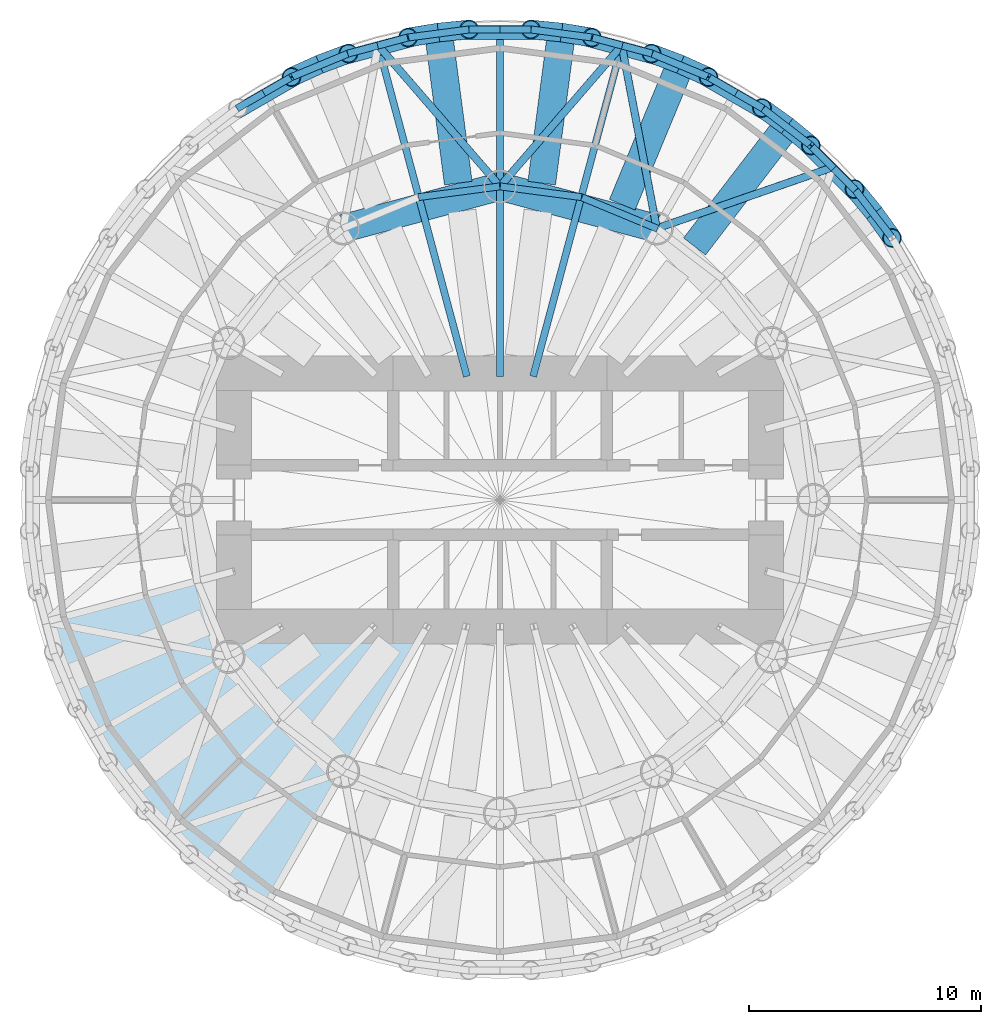
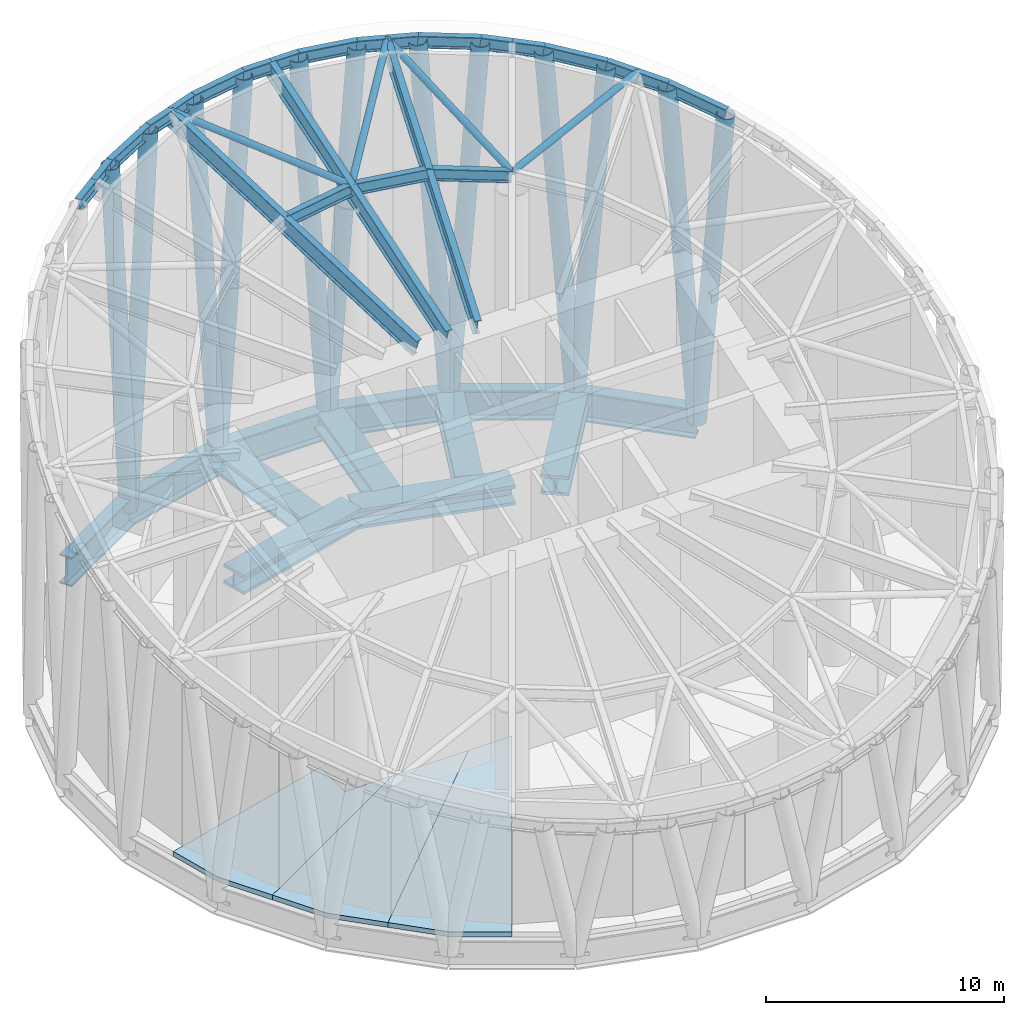
# One storey, part 5 of 9: 36 beams, 16 members, 3 slabs.
"""IFC4 building model written with IfcOpenShell, lengths in metres."""

from ifc_helpers import new_model, si_unit, direction, frame, origin, origin_2d, place, context, subcontext, project, spatial, polyline, hollow_circle, i_section, outline, extrude, material, layer, layer_set, material_profile, profile_set, type_object, element, save


model = new_model("IFC4")

# Units and contexts
model_context = context("Model", 3, precision=1e-05, world=origin(), true_north=direction((0.0, 1.0)))
body_context = subcontext(model_context, "Body", "Model", "MODEL_VIEW")
ifc_project = project(units=[si_unit("LENGTHUNIT", "METRE"), si_unit("AREAUNIT", "SQUARE_METRE"), si_unit("VOLUMEUNIT", "CUBIC_METRE"), si_unit("PLANEANGLEUNIT", "RADIAN"), si_unit("MASSUNIT", "GRAM", prefix="KILO")], contexts=[model_context])

# Site, building, storey
site_placement = place(None, origin())
site = spatial("IfcSite", under=ifc_project, at=site_placement, CompositionType="ELEMENT")
building_placement = place(site_placement, origin())
building = spatial("IfcBuilding", under=site, at=building_placement, Name="Qaws Media Tower", CompositionType="ELEMENT")
storey_placement = place(building_placement, frame((0.0, 0.0, 286.39990234375)))
storey = spatial("IfcBuildingStorey", under=building, at=storey_placement, Name="L66", CompositionType="ELEMENT", Elevation=286.39990234375)

# Members
ifc_material_1 = material(Name="Steel S355", Category="steel")
ifc_material_profile_1 = material_profile(ifc_material_1, hollow_circle(Radius=0.406494140625, WallThickness=0.0400390625, at=origin_2d()), Name="CHS 813x40")
ifc_profile_set_1 = profile_set([ifc_material_profile_1], Name="Steel S355")
member_type_1 = type_object("IfcMemberType", Name="Crown diagrid member CHS 813x40", PredefinedType="USERDEFINED", material=ifc_profile_set_1)
member_1_placement = place(storey_placement, frame((76.10498046875, 62.35791015625, -1.0), z_axis=(-0.050039198741, 0.060986632833, 0.996883498311), x_axis=(-0.773080303717, -0.634308161704, 0.0)))
element("IfcMember", 1, at=member_1_placement, inside=storey, type_object=member_type_1, Name="DG5 crown diagrid A03", ObjectType="DIAGRID", PredefinedType="USERDEFINED", context=body_context, shape_type="SweptSolid", body=[
    extrude(hollow_circle(Radius=0.406494140625, WallThickness=0.0400390625, at=origin_2d()), origin(), (0.0, 0.0, 1.0), 16.83740234375),
])
member_2_placement = place(storey_placement, frame((76.10498046875, 62.35791015625, -1.0), z_axis=(0.047906087297, -0.06684183726, 0.996612851408), x_axis=(0.812801175395, 0.582541199639, 0.0)))
element("IfcMember", 2, at=member_2_placement, inside=storey, type_object=member_type_1, Name="DG5 crown diagrid B03", ObjectType="DIAGRID", PredefinedType="USERDEFINED", context=body_context, shape_type="SweptSolid", body=[
    extrude(hollow_circle(Radius=0.406494140625, WallThickness=0.0400390625, at=origin_2d()), origin(), (0.0, 0.0, 1.0), 16.155029296875),
])
member_3_placement = place(storey_placement, frame((72.35791015625, 66.10498046875, -1.0), z_axis=(-0.060093119495, 0.043069226498, 0.997263184279), x_axis=(-0.582541199639, -0.812801175395, 0.0)))
element("IfcMember", 3, at=member_3_placement, inside=storey, type_object=member_type_1, Name="DG5 crown diagrid A04", ObjectType="DIAGRID", PredefinedType="USERDEFINED", context=body_context, shape_type="SweptSolid", body=[
    extrude(hollow_circle(Radius=0.406494140625, WallThickness=0.0400390625, at=origin_2d()), origin(), (0.0, 0.0, 1.0), 17.96923828125),
])
member_4_placement = place(storey_placement, frame((72.35791015625, 66.10498046875, -1.0), z_axis=(0.058860230621, -0.048294497354, 0.997097344684), x_axis=(0.634308161704, 0.773080303717, 0.0)))
element("IfcMember", 4, at=member_4_placement, inside=storey, type_object=member_type_1, Name="DG5 crown diagrid B04", ObjectType="DIAGRID", PredefinedType="USERDEFINED", context=body_context, shape_type="SweptSolid", body=[
    extrude(hollow_circle(Radius=0.406494140625, WallThickness=0.0400390625, at=origin_2d()), origin(), (0.0, 0.0, 1.0), 17.445556640625),
])
member_5_placement = place(storey_placement, frame((67.7685546875, 68.754638671875, -1.0), z_axis=(-0.066389225504, 0.024988836696, 0.997480841309), x_axis=(-0.352271058645, -0.935898018612, 0.0)))
element("IfcMember", 5, at=member_5_placement, inside=storey, type_object=member_type_1, Name="DG5 crown diagrid A05", ObjectType="DIAGRID", PredefinedType="USERDEFINED", context=body_context, shape_type="SweptSolid", body=[
    extrude(hollow_circle(Radius=0.406494140625, WallThickness=0.0400390625, at=origin_2d()), origin(), (0.0, 0.0, 1.0), 18.72900390625),
])
member_6_placement = place(storey_placement, frame((67.7685546875, 68.754638671875, -1.0), z_axis=(0.065760275198, -0.029788502385, 0.997390711472), x_axis=(0.412625538656, 0.910900743687, 0.0)))
element("IfcMember", 6, at=member_6_placement, inside=storey, type_object=member_type_1, Name="DG5 crown diagrid B05", ObjectType="DIAGRID", PredefinedType="USERDEFINED", context=body_context, shape_type="SweptSolid", body=[
    extrude(hollow_circle(Radius=0.406494140625, WallThickness=0.0400390625, at=origin_2d()), origin(), (0.0, 0.0, 1.0), 18.399658203125),
])
member_7_placement = place(storey_placement, frame((62.649658203125, 70.126220703125, -1.0), z_axis=(-0.06934589796, 0.006838542846, 0.997569236077), x_axis=(-0.098138916945, -0.995172725199, 0.0)))
element("IfcMember", 7, at=member_7_placement, inside=storey, type_object=member_type_1, Name="DG5 crown diagrid A06", ObjectType="DIAGRID", PredefinedType="USERDEFINED", context=body_context, shape_type="SweptSolid", body=[
    extrude(hollow_circle(Radius=0.406494140625, WallThickness=0.0400390625, at=origin_2d()), origin(), (0.0, 0.0, 1.0), 19.064208984375),
])
for number, where, z_axis, x_axis, name in (
    (8, (62.649658203125, 70.126220703125, -1.0), (0.06916500203, -0.011413706798, 0.997539938945), (0.162819356287, 0.986655896054, 0.0), "DG5 crown diagrid B06"),
    (9, (57.350341796875, 70.126220703125, -1.0), (-0.06916500203, -0.011413706798, 0.997539938945), (0.162819356287, -0.986655896054, 0.0), "DG5 crown diagrid A07"),
):
    element("IfcMember", number, at=place(storey_placement, frame(where, z_axis=z_axis, x_axis=x_axis)), inside=storey, type_object=member_type_1, Name=name, ObjectType="DIAGRID", PredefinedType="USERDEFINED", context=body_context, shape_type="SweptSolid", body=[
        extrude(hollow_circle(Radius=0.406494140625, WallThickness=0.0400390625, at=origin_2d()), origin(), (0.0, 0.0, 1.0), 18.95166015625),
    ])
member_8_placement = place(storey_placement, frame((57.350341796875, 70.126220703125, -1.0), z_axis=(0.06934589796, 0.006838542846, 0.997569236077), x_axis=(-0.098138916945, 0.995172725199, 0.0)))
element("IfcMember", 10, at=member_8_placement, inside=storey, type_object=member_type_1, Name="DG5 crown diagrid B07", ObjectType="DIAGRID", PredefinedType="USERDEFINED", context=body_context, shape_type="SweptSolid", body=[
    extrude(hollow_circle(Radius=0.406494140625, WallThickness=0.0400390625, at=origin_2d()), origin(), (0.0, 0.0, 1.0), 19.064208984375),
])
member_9_placement = place(storey_placement, frame((52.2314453125, 68.754638671875, -1.0), z_axis=(-0.065760275198, -0.029788502385, 0.997390711472), x_axis=(0.412625538656, -0.910900743687, 0.0)))
element("IfcMember", 11, at=member_9_placement, inside=storey, type_object=member_type_1, Name="DG5 crown diagrid A08", ObjectType="DIAGRID", PredefinedType="USERDEFINED", context=body_context, shape_type="SweptSolid", body=[
    extrude(hollow_circle(Radius=0.406494140625, WallThickness=0.0400390625, at=origin_2d()), origin(), (0.0, 0.0, 1.0), 18.399658203125),
])
member_10_placement = place(storey_placement, frame((52.2314453125, 68.754638671875, -1.0), z_axis=(0.066389225504, 0.024988836696, 0.997480841309), x_axis=(-0.352271058645, 0.935898018612, 0.0)))
element("IfcMember", 12, at=member_10_placement, inside=storey, type_object=member_type_1, Name="DG5 crown diagrid B08", ObjectType="DIAGRID", PredefinedType="USERDEFINED", context=body_context, shape_type="SweptSolid", body=[
    extrude(hollow_circle(Radius=0.406494140625, WallThickness=0.0400390625, at=origin_2d()), origin(), (0.0, 0.0, 1.0), 18.72900390625),
])

# Beams
ifc_material_2 = material(Name="Steel S355", Category="steel")
ifc_material_profile_2 = material_profile(ifc_material_2, i_section(OverallWidth=0.304931640625, OverallDepth=0.6201171875, WebThickness=0.02099609375, FlangeThickness=0.0400390625, FilletRadius=0.027099609375, at=origin_2d()), Name="HE 600 M")
ifc_profile_set_2 = profile_set([ifc_material_profile_2], Name="Steel S355")
beam_type_1 = type_object("IfcBeamType", Name="Crown edge beam HE 600 M", PredefinedType="BEAM", material=ifc_profile_set_2)
beam_1_placement = place(storey_placement, frame((76.87890625, 61.278076171875, 15.100341796875), z_axis=(-0.589472117613, 0.768245718604, 0.249642020508), x_axis=(-0.793365088638, -0.608746117959, 0.0)))
element("IfcBeam", 13, at=beam_1_placement, inside=storey, type_object=beam_type_1, Name="B5 crown edge beam 05", PredefinedType="BEAM", context=body_context, shape_type="SweptSolid", body=[
    extrude(i_section(OverallWidth=0.304931640625, OverallDepth=0.6201171875, WebThickness=0.02099609375, FlangeThickness=0.0400390625, FilletRadius=0.027099609375, at=origin_2d()), origin(), (0.0, 0.0, 1.0), 2.7421875),
])
for number, where, z_axis, x_axis, name in (
    (14, (75.262451171875, 63.384765625, 15.784912109375), (-0.689254594814, 0.689075381451, 0.223837490619), (-0.707014835699, -0.70719871472, 0.0), "B5 crown edge beam 06 part a"),
    (15, (74.323486328125, 64.323486328125, 16.08984375), (-0.689047730018, 0.68922693619, 0.22400771457), (-0.70719871472, -0.707014835699, 0.0), "B5 crown edge beam 06 part b"),
):
    element("IfcBeam", number, at=place(storey_placement, frame(where, z_axis=z_axis, x_axis=x_axis)), inside=storey, type_object=beam_type_1, Name=name, PredefinedType="BEAM", context=body_context, shape_type="SweptSolid", body=[
        extrude(i_section(OverallWidth=0.304931640625, OverallDepth=0.6201171875, WebThickness=0.02099609375, FlangeThickness=0.0400390625, FilletRadius=0.027099609375, at=origin_2d()), origin(), (0.0, 0.0, 1.0), 1.3623046875),
    ])
beam_2_placement = place(storey_placement, frame((73.384765625, 65.262451171875, 16.39501953125), z_axis=(-0.778290949844, 0.59717978664, 0.194009019946), x_axis=(-0.608746117959, -0.793365088638, 0.0)))
element("IfcBeam", 16, at=beam_2_placement, inside=storey, type_object=beam_type_1, Name="B5 crown edge beam 07", PredefinedType="BEAM", context=body_context, shape_type="SweptSolid", body=[
    extrude(i_section(OverallWidth=0.304931640625, OverallDepth=0.6201171875, WebThickness=0.02099609375, FlangeThickness=0.0400390625, FilletRadius=0.027099609375, at=origin_2d()), origin(), (0.0, 0.0, 1.0), 2.706787109375),
])
beam_3_placement = place(storey_placement, frame((71.278076171875, 66.87890625, 16.920166015625), z_axis=(-0.854831723483, 0.493479290053, 0.160439754471), x_axis=(-0.499955901382, -0.866050862637, 0.0)))
element("IfcBeam", 17, at=beam_3_placement, inside=storey, type_object=beam_type_1, Name="B5 crown edge beam 08 part a", PredefinedType="BEAM", context=body_context, shape_type="SweptSolid", body=[
    extrude(i_section(OverallWidth=0.304931640625, OverallDepth=0.6201171875, WebThickness=0.02099609375, FlangeThickness=0.0400390625, FilletRadius=0.027099609375, at=origin_2d()), origin(), (0.0, 0.0, 1.0), 1.34521484375),
])
beam_4_placement = place(storey_placement, frame((70.128173828125, 67.542724609375, 17.135986328125), z_axis=(-0.854807727705, 0.493570229694, 0.160287794343), x_axis=(-0.500035527442, -0.866004891035, 0.0)))
element("IfcBeam", 18, at=beam_4_placement, inside=storey, type_object=beam_type_1, Name="B5 crown edge beam 08 part b", PredefinedType="BEAM", context=body_context, shape_type="SweptSolid", body=[
    extrude(i_section(OverallWidth=0.304931640625, OverallDepth=0.6201171875, WebThickness=0.02099609375, FlangeThickness=0.0400390625, FilletRadius=0.027099609375, at=origin_2d()), origin(), (0.0, 0.0, 1.0), 1.344970703125),
])
beam_5_placement = place(storey_placement, frame((68.978515625, 68.20654296875, 17.3515625), z_axis=(-0.916827456484, 0.379722944958, 0.123441889603), x_axis=(-0.382649524099, -0.923893577046, 0.0)))
element("IfcBeam", 19, at=beam_5_placement, inside=storey, type_object=beam_type_1, Name="B5 crown edge beam 09", PredefinedType="BEAM", context=body_context, shape_type="SweptSolid", body=[
    extrude(i_section(OverallWidth=0.304931640625, OverallDepth=0.6201171875, WebThickness=0.02099609375, FlangeThickness=0.0400390625, FilletRadius=0.027099609375, at=origin_2d()), origin(), (0.0, 0.0, 1.0), 2.676025390625),
])
beam_6_placement = place(storey_placement, frame((66.525146484375, 69.22265625, 17.681884765625), z_axis=(-0.962512217933, 0.257989187674, 0.08373654742), x_axis=(-0.258898457701, -0.965904544249, 0.0)))
element("IfcBeam", 20, at=beam_6_placement, inside=storey, type_object=beam_type_1, Name="B5 crown edge beam 10 part a", PredefinedType="BEAM", context=body_context, shape_type="SweptSolid", body=[
    extrude(i_section(OverallWidth=0.304931640625, OverallDepth=0.6201171875, WebThickness=0.02099609375, FlangeThickness=0.0400390625, FilletRadius=0.027099609375, at=origin_2d()), origin(), (0.0, 0.0, 1.0), 1.33251953125),
])
beam_7_placement = place(storey_placement, frame((65.24267578125, 69.56640625, 17.79345703125), z_axis=(-0.962544235999, 0.257863621487, 0.083755277199), x_axis=(-0.258772857725, -0.965938200976, 0.0)))
element("IfcBeam", 21, at=beam_7_placement, inside=storey, type_object=beam_type_1, Name="B5 crown edge beam 10 part b", PredefinedType="BEAM", context=body_context, shape_type="SweptSolid", body=[
    extrude(i_section(OverallWidth=0.304931640625, OverallDepth=0.6201171875, WebThickness=0.02099609375, FlangeThickness=0.0400390625, FilletRadius=0.027099609375, at=origin_2d()), origin(), (0.0, 0.0, 1.0), 1.33203125),
])
beam_8_placement = place(storey_placement, frame((63.96044921875, 69.909912109375, 17.905029296875), z_axis=(-0.990548656421, 0.130432037474, 0.042436338953), x_axis=(-0.130549640138, -0.991441774115, 0.0)))
element("IfcBeam", 22, at=beam_8_placement, inside=storey, type_object=beam_type_1, Name="B5 crown edge beam 11", PredefinedType="BEAM", context=body_context, shape_type="SweptSolid", body=[
    extrude(i_section(OverallWidth=0.304931640625, OverallDepth=0.6201171875, WebThickness=0.02099609375, FlangeThickness=0.0400390625, FilletRadius=0.027099609375, at=origin_2d()), origin(), (0.0, 0.0, 1.0), 2.657958984375),
])
for number, where, z_axis, x_axis, name in (
    (23, (61.32763671875, 70.256591796875, 18.017822265625), (-1.0, 0.0, 0.0), (0.0, -1.0, 0.0), "B5 crown edge beam 12 part a"),
    (24, (60.0, 70.256591796875, 18.017822265625), (-1.0, 0.0, 0.0), (0.0, -1.0, 0.0), "B5 crown edge beam 12 part b"),
):
    element("IfcBeam", number, at=place(storey_placement, frame(where, z_axis=z_axis, x_axis=x_axis)), inside=storey, type_object=beam_type_1, Name=name, PredefinedType="BEAM", context=body_context, shape_type="SweptSolid", body=[
        extrude(i_section(OverallWidth=0.304931640625, OverallDepth=0.6201171875, WebThickness=0.02099609375, FlangeThickness=0.0400390625, FilletRadius=0.027099609375, at=origin_2d()), origin(), (0.0, 0.0, 1.0), 1.32763671875),
    ])
beam_9_placement = place(storey_placement, frame((58.67236328125, 70.256591796875, 18.017822265625), z_axis=(-0.990548656421, -0.130432037474, -0.042436338953), x_axis=(0.130549640138, -0.991441774115, 0.0)))
element("IfcBeam", 25, at=beam_9_placement, inside=storey, type_object=beam_type_1, Name="B5 crown edge beam 13", PredefinedType="BEAM", context=body_context, shape_type="SweptSolid", body=[
    extrude(i_section(OverallWidth=0.304931640625, OverallDepth=0.6201171875, WebThickness=0.02099609375, FlangeThickness=0.0400390625, FilletRadius=0.027099609375, at=origin_2d()), origin(), (0.0, 0.0, 1.0), 2.657958984375),
])
beam_10_placement = place(storey_placement, frame((56.03955078125, 69.909912109375, 17.905029296875), z_axis=(-0.962544235999, -0.257863621487, -0.083755277199), x_axis=(0.258772857725, -0.965938200976, 0.0)))
element("IfcBeam", 26, at=beam_10_placement, inside=storey, type_object=beam_type_1, Name="B5 crown edge beam 14 part a", PredefinedType="BEAM", context=body_context, shape_type="SweptSolid", body=[
    extrude(i_section(OverallWidth=0.304931640625, OverallDepth=0.6201171875, WebThickness=0.02099609375, FlangeThickness=0.0400390625, FilletRadius=0.027099609375, at=origin_2d()), origin(), (0.0, 0.0, 1.0), 1.33203125),
])
beam_11_placement = place(storey_placement, frame((54.75732421875, 69.56640625, 17.79345703125), z_axis=(-0.962512217933, -0.257989187674, -0.08373654742), x_axis=(0.258898457701, -0.965904544249, 0.0)))
element("IfcBeam", 27, at=beam_11_placement, inside=storey, type_object=beam_type_1, Name="B5 crown edge beam 14 part b", PredefinedType="BEAM", context=body_context, shape_type="SweptSolid", body=[
    extrude(i_section(OverallWidth=0.304931640625, OverallDepth=0.6201171875, WebThickness=0.02099609375, FlangeThickness=0.0400390625, FilletRadius=0.027099609375, at=origin_2d()), origin(), (0.0, 0.0, 1.0), 1.33251953125),
])
beam_12_placement = place(storey_placement, frame((53.474853515625, 69.22265625, 17.681884765625), z_axis=(-0.916827456484, -0.379722944958, -0.123441889603), x_axis=(0.382649524099, -0.923893577046, 0.0)))
element("IfcBeam", 28, at=beam_12_placement, inside=storey, type_object=beam_type_1, Name="B5 crown edge beam 15", PredefinedType="BEAM", context=body_context, shape_type="SweptSolid", body=[
    extrude(i_section(OverallWidth=0.304931640625, OverallDepth=0.6201171875, WebThickness=0.02099609375, FlangeThickness=0.0400390625, FilletRadius=0.027099609375, at=origin_2d()), origin(), (0.0, 0.0, 1.0), 2.676025390625),
])
beam_13_placement = place(storey_placement, frame((51.021484375, 68.20654296875, 17.3515625), z_axis=(-0.854807727705, -0.493570229694, -0.160287794343), x_axis=(0.500035527442, -0.866004891035, 0.0)))
element("IfcBeam", 29, at=beam_13_placement, inside=storey, type_object=beam_type_1, Name="B5 crown edge beam 16 part a", PredefinedType="BEAM", context=body_context, shape_type="SweptSolid", body=[
    extrude(i_section(OverallWidth=0.304931640625, OverallDepth=0.6201171875, WebThickness=0.02099609375, FlangeThickness=0.0400390625, FilletRadius=0.027099609375, at=origin_2d()), origin(), (0.0, 0.0, 1.0), 1.344970703125),
])
beam_14_placement = place(storey_placement, frame((49.871826171875, 67.542724609375, 17.135986328125), z_axis=(-0.854831723483, -0.493479290053, -0.160439754471), x_axis=(0.499955901382, -0.866050862637, 0.0)))
element("IfcBeam", 30, at=beam_14_placement, inside=storey, type_object=beam_type_1, Name="B5 crown edge beam 16 part b", PredefinedType="BEAM", context=body_context, shape_type="SweptSolid", body=[
    extrude(i_section(OverallWidth=0.304931640625, OverallDepth=0.6201171875, WebThickness=0.02099609375, FlangeThickness=0.0400390625, FilletRadius=0.027099609375, at=origin_2d()), origin(), (0.0, 0.0, 1.0), 1.34521484375),
])
ifc_material_3 = material(Name="Steel S355", Category="steel")
ifc_material_profile_3 = material_profile(ifc_material_3, i_section(OverallWidth=0.300048828125, OverallDepth=0.89990234375, WebThickness=0.0185546875, FlangeThickness=0.034912109375, FilletRadius=0.030029296875, at=origin_2d()), Name="HE 900 B")
ifc_profile_set_3 = profile_set([ifc_material_profile_3], Name="Steel S355")
beam_type_2 = type_object("IfcBeamType", Name="Crown rafter HE 900 B", PredefinedType="BEAM", material=ifc_profile_set_3)
beam_15_placement = place(storey_placement, frame((61.460205078125, 55.449951171875, 13.08251953125), z_axis=(0.246941480977, 0.921603522336, 0.299444239535), x_axis=(-0.965926203228, 0.258817638343, 0.0)))
element("IfcBeam", 31, at=beam_15_placement, inside=storey, type_object=beam_type_2, Name="B4 crown rafter 06", PredefinedType="BEAM", context=body_context, shape_type="SweptSolid", body=[
    extrude(i_section(OverallWidth=0.300048828125, OverallDepth=0.89990234375, WebThickness=0.0185546875, FlangeThickness=0.034912109375, FilletRadius=0.030029296875, at=origin_2d()), origin(), (0.0, 0.0, 1.0), 15.3173828125),
])
beam_16_placement = place(storey_placement, frame((60.0, 55.449951171875, 13.093505859375), z_axis=(0.0, 0.951055270728, 0.309020827809), x_axis=(-1.0, 0.0, 0.0)))
element("IfcBeam", 32, at=beam_16_placement, inside=storey, type_object=beam_type_2, Name="B4 crown rafter 07", PredefinedType="BEAM", context=body_context, shape_type="SweptSolid", body=[
    extrude(i_section(OverallWidth=0.300048828125, OverallDepth=0.89990234375, WebThickness=0.0185546875, FlangeThickness=0.034912109375, FilletRadius=0.030029296875, at=origin_2d()), origin(), (0.0, 0.0, 1.0), 15.568603515625),
])
beam_17_placement = place(storey_placement, frame((58.539794921875, 55.449951171875, 13.08251953125), z_axis=(-0.246941480977, 0.921603522336, 0.299444239535), x_axis=(-0.965926203228, -0.258817638343, 0.0)))
element("IfcBeam", 33, at=beam_17_placement, inside=storey, type_object=beam_type_2, Name="B4 crown rafter 08", PredefinedType="BEAM", context=body_context, shape_type="SweptSolid", body=[
    extrude(i_section(OverallWidth=0.300048828125, OverallDepth=0.89990234375, WebThickness=0.0185546875, FlangeThickness=0.034912109375, FilletRadius=0.030029296875, at=origin_2d()), origin(), (0.0, 0.0, 1.0), 15.3173828125),
])

# Members
ifc_material_4 = material(Name="Steel S355", Category="steel")
ifc_material_profile_4 = material_profile(ifc_material_4, hollow_circle(Radius=0.161865234375, WallThickness=0.01611328125, at=origin_2d()), Name="CHS 323.9x16")
ifc_profile_set_4 = profile_set([ifc_material_profile_4], Name="Steel S355")
member_type_2 = type_object("IfcMemberType", Name="Crown roof brace CHS 323.9x16", PredefinedType="BRACE", material=ifc_profile_set_4)
member_11_placement = place(storey_placement, frame((66.75, 61.69140625, 15.42431640625), z_axis=(0.93924989496, 0.326425747641, 0.106093666611), x_axis=(-0.328278505443, 0.944580977399, 0.0)))
element("IfcMember", 34, at=member_11_placement, inside=storey, type_object=member_type_2, Name="CB1 crown roof brace 04", PredefinedType="BRACE", context=body_context, shape_type="SweptSolid", body=[
    extrude(hollow_circle(Radius=0.161865234375, WallThickness=0.01611328125, at=origin_2d()), origin(), (0.0, 0.0, 1.0), 8.063232421875),
])
member_12_placement = place(storey_placement, frame((66.75, 61.69140625, 15.42431640625), z_axis=(-0.179094315015, 0.935676421304, 0.304031019708), x_axis=(-0.982170267086, -0.187993527685, 0.0)))
element("IfcMember", 35, at=member_12_placement, inside=storey, type_object=member_type_2, Name="CB1 crown roof brace 05", PredefinedType="BRACE", context=body_context, shape_type="SweptSolid", body=[
    extrude(hollow_circle(Radius=0.161865234375, WallThickness=0.01611328125, at=origin_2d()), origin(), (0.0, 0.0, 1.0), 8.416259765625),
])
for number, where, z_axis, x_axis, name in (
    (36, (60.0, 63.5, 16.01220703125), (0.634967301877, 0.734733515742, 0.238711512902), (-0.756606613434, 0.653870348393, 0.0), "CB1 crown roof brace 06"),
    (37, (60.0, 63.5, 16.01220703125), (-0.634967301877, 0.734733515742, 0.238711512902), (-0.756606613434, -0.653870348393, 0.0), "CB1 crown roof brace 07"),
):
    element("IfcMember", number, at=place(storey_placement, frame(where, z_axis=z_axis, x_axis=x_axis)), inside=storey, type_object=member_type_2, Name=name, PredefinedType="BRACE", context=body_context, shape_type="SweptSolid", body=[
        extrude(hollow_circle(Radius=0.161865234375, WallThickness=0.01611328125, at=origin_2d()), origin(), (0.0, 0.0, 1.0), 8.256591796875),
    ])

# Beams
ifc_material_5 = material(Name="Steel S355", Category="steel")
ifc_material_profile_5 = material_profile(ifc_material_5, i_section(OverallWidth=0.300048828125, OverallDepth=0.60009765625, WebThickness=0.015380859375, FlangeThickness=0.030029296875, FilletRadius=0.027099609375, at=origin_2d()), Name="HE 600 B")
ifc_profile_set_5 = profile_set([ifc_material_profile_5], Name="Steel S355")
beam_type_3 = type_object("IfcBeamType", Name="Crown tie ring HE 600 B", PredefinedType="BEAM", material=ifc_profile_set_5)
beam_18_placement = place(storey_placement, frame((66.75, 61.69140625, 15.247314453125), z_axis=(-0.9168169605, 0.379761314472, 0.123401802947), x_axis=(-0.382686266672, -0.923878358498, 0.0)))
element("IfcBeam", 38, at=beam_18_placement, inside=storey, type_object=beam_type_3, Name="B17 crown tie ring 05", PredefinedType="BEAM", context=body_context, shape_type="SweptSolid", body=[
    extrude(i_section(OverallWidth=0.300048828125, OverallDepth=0.60009765625, WebThickness=0.015380859375, FlangeThickness=0.030029296875, FilletRadius=0.027099609375, at=origin_2d()), origin(), (0.0, 0.0, 1.0), 3.55126953125),
])
for number, where, z_axis, x_axis, name in (
    (39, (63.494140625, 63.0400390625, 15.684326171875), (-0.990556942584, 0.130394723297, 0.042357521581), (-0.130511855411, -0.991446748745, 0.0), "B17 crown tie ring 06"),
    (40, (60.0, 63.5, 15.833740234375), (-0.990556942584, -0.130394723297, -0.042357521581), (0.130511855411, -0.991446748745, 0.0), "B17 crown tie ring 07"),
):
    element("IfcBeam", number, at=place(storey_placement, frame(where, z_axis=z_axis, x_axis=x_axis)), inside=storey, type_object=beam_type_3, Name=name, PredefinedType="BEAM", context=body_context, shape_type="SweptSolid", body=[
        extrude(i_section(OverallWidth=0.300048828125, OverallDepth=0.60009765625, WebThickness=0.015380859375, FlangeThickness=0.030029296875, FilletRadius=0.027099609375, at=origin_2d()), origin(), (0.0, 0.0, 1.0), 3.52734375),
    ])
ifc_material_6 = material(Name="Steel S460", Category="steel")
ifc_material_profile_6 = material_profile(ifc_material_6, i_section(OverallWidth=0.60009765625, OverallDepth=1.5, WebThickness=0.030029296875, FlangeThickness=0.080078125, at=origin_2d()), Name="PG 1500x600")
ifc_profile_set_6 = profile_set([ifc_material_profile_6], Name="Steel S460")
beam_type_4 = type_object("IfcBeamType", Name="Edge ring beam PG 1500x600", PredefinedType="BEAM", material=ifc_profile_set_6)
beam_19_placement = place(storey_placement, frame((76.10498046875, 62.35791015625, -1.0), z_axis=(-0.707106781187, 0.707106781187, 0.0), x_axis=(-0.707106781187, -0.707106781187, 0.0)))
element("IfcBeam", 41, at=beam_19_placement, inside=storey, type_object=beam_type_4, Name="RB5 edge ring beam L66-03", PredefinedType="BEAM", context=body_context, shape_type="SweptSolid", body=[
    extrude(i_section(OverallWidth=0.60009765625, OverallDepth=1.5, WebThickness=0.030029296875, FlangeThickness=0.080078125, at=origin_2d()), origin(), (0.0, 0.0, 1.0), 5.299072265625),
])
beam_20_placement = place(storey_placement, frame((72.35791015625, 66.10498046875, -1.0), z_axis=(-0.866026009438, 0.499998950975, 0.0), x_axis=(-0.499998950975, -0.866026009438, 0.0)))
element("IfcBeam", 42, at=beam_20_placement, inside=storey, type_object=beam_type_4, Name="RB5 edge ring beam L66-04", PredefinedType="BEAM", context=body_context, shape_type="SweptSolid", body=[
    extrude(i_section(OverallWidth=0.60009765625, OverallDepth=1.5, WebThickness=0.030029296875, FlangeThickness=0.080078125, at=origin_2d()), origin(), (0.0, 0.0, 1.0), 5.29931640625),
])
beam_21_placement = place(storey_placement, frame((67.7685546875, 68.754638671875, -1.0), z_axis=(-0.965926871098, 0.258815145792, 0.0), x_axis=(-0.258815145792, -0.965926871098, 0.0)))
element("IfcBeam", 43, at=beam_21_placement, inside=storey, type_object=beam_type_4, Name="RB5 edge ring beam L66-05", PredefinedType="BEAM", context=body_context, shape_type="SweptSolid", body=[
    extrude(i_section(OverallWidth=0.60009765625, OverallDepth=1.5, WebThickness=0.030029296875, FlangeThickness=0.080078125, at=origin_2d()), origin(), (0.0, 0.0, 1.0), 5.299560546875),
])
beam_22_placement = place(storey_placement, frame((62.649658203125, 70.126220703125, -1.0), z_axis=(-1.0, 0.0, 0.0), x_axis=(0.0, -1.0, 0.0)))
element("IfcBeam", 44, at=beam_22_placement, inside=storey, type_object=beam_type_4, Name="RB5 edge ring beam L66-06", PredefinedType="BEAM", context=body_context, shape_type="SweptSolid", body=[
    extrude(i_section(OverallWidth=0.60009765625, OverallDepth=1.5, WebThickness=0.030029296875, FlangeThickness=0.080078125, at=origin_2d()), origin(), (0.0, 0.0, 1.0), 5.29931640625),
])
beam_23_placement = place(storey_placement, frame((57.350341796875, 70.126220703125, -1.0), z_axis=(-0.965926871098, -0.258815145792, 0.0), x_axis=(0.258815145792, -0.965926871098, 0.0)))
element("IfcBeam", 45, at=beam_23_placement, inside=storey, type_object=beam_type_4, Name="RB5 edge ring beam L66-07", PredefinedType="BEAM", context=body_context, shape_type="SweptSolid", body=[
    extrude(i_section(OverallWidth=0.60009765625, OverallDepth=1.5, WebThickness=0.030029296875, FlangeThickness=0.080078125, at=origin_2d()), origin(), (0.0, 0.0, 1.0), 5.299560546875),
])
beam_24_placement = place(storey_placement, frame((52.2314453125, 68.754638671875, -1.0), z_axis=(-0.866026009438, -0.499998950975, 0.0), x_axis=(0.499998950975, -0.866026009438, 0.0)))
element("IfcBeam", 46, at=beam_24_placement, inside=storey, type_object=beam_type_4, Name="RB5 edge ring beam L66-08", PredefinedType="BEAM", context=body_context, shape_type="SweptSolid", body=[
    extrude(i_section(OverallWidth=0.60009765625, OverallDepth=1.5, WebThickness=0.030029296875, FlangeThickness=0.080078125, at=origin_2d()), origin(), (0.0, 0.0, 1.0), 5.29931640625),
])
ifc_material_7 = material(Name="Steel S460", Category="steel")
ifc_material_profile_7 = material_profile(ifc_material_7, i_section(OverallWidth=1.199951171875, OverallDepth=1.0, WebThickness=0.06005859375, FlangeThickness=0.14990234375, at=origin_2d()), Name="PG 1000x1200")
ifc_profile_set_7 = profile_set([ifc_material_profile_7], Name="Steel S460")
beam_type_5 = type_object("IfcBeamType", Name="Inner ring girder PG 1000x1200", PredefinedType="BEAM", material=ifc_profile_set_7)
for number, where, z_axis, x_axis, name in (
    (47, (66.75, 61.69140625, -0.75), (-0.965928090778, 0.258810593767, 0.0), (-0.258810593767, -0.965928090778, 0.0), "B3 inner ring beam L66 I03-I04"),
    (48, (60.0, 63.5, -0.75), (-0.965928090778, -0.258810593767, 0.0), (0.258810593767, -0.965928090778, 0.0), "B3 inner ring beam L66 I04-I05"),
):
    element("IfcBeam", number, at=place(storey_placement, frame(where, z_axis=z_axis, x_axis=x_axis)), inside=storey, type_object=beam_type_5, Name=name, PredefinedType="BEAM", context=body_context, shape_type="SweptSolid", body=[
        extrude(i_section(OverallWidth=1.199951171875, OverallDepth=1.0, WebThickness=0.06005859375, FlangeThickness=0.14990234375, at=origin_2d()), origin(), (0.0, 0.0, 1.0), 6.988037109375),
    ])
ifc_material_8 = material(Name="Steel S355", Category="steel")
ifc_material_profile_8 = material_profile(ifc_material_8, i_section(OverallWidth=1.199951171875, OverallDepth=1.0, WebThickness=0.06005859375, FlangeThickness=0.14990234375, at=origin_2d()), Name="PG 1000x1200")
ifc_profile_set_8 = profile_set([ifc_material_profile_8], Name="Steel S355")
beam_type_6 = type_object("IfcBeamType", Name="Plant floor beam PG 1000x1200", PredefinedType="BEAM", material=ifc_profile_set_8)
for number, where, z_axis, x_axis, name in (
    (49, (68.375244140625, 60.914794921875, -0.75), (0.608770720094, 0.793346210904, 0.0), (-0.793346210904, 0.608770720094, 0.0), "B1 radial beam L66 04"),
    (50, (65.264892578125, 62.71044921875, -0.75), (0.382693460725, 0.923875378565, 0.0), (-0.923875378565, 0.382693460725, 0.0), "B1 radial beam L66 05"),
    (51, (61.795654296875, 63.639892578125, -0.75), (0.130535598951, 0.991443622909, 0.0), (-0.991443622909, 0.130535598951, 0.0), "B1 radial beam L66 06"),
    (52, (58.204345703125, 63.639892578125, -0.75), (-0.130535598951, 0.991443622909, 0.0), (-0.991443622909, -0.130535598951, 0.0), "B1 radial beam L66 07"),
):
    element("IfcBeam", number, at=place(storey_placement, frame(where, z_axis=z_axis, x_axis=x_axis)), inside=storey, type_object=beam_type_6, Name=name, PredefinedType="BEAM", context=body_context, shape_type="SweptSolid", body=[
        extrude(i_section(OverallWidth=1.199951171875, OverallDepth=1.0, WebThickness=0.06005859375, FlangeThickness=0.14990234375, at=origin_2d()), origin(), (0.0, 0.0, 1.0), 6.542236328125),
    ])

# Slabs
ifc_material_9 = material(Name="Concrete C40/50", Category="concrete")
ifc_layer = layer(ifc_material_9, 0.25)
ifc_layer_set = layer_set([ifc_layer], Name="Plant floor slab 250")
slab_type = type_object("IfcSlabType", Name="Plant floor slab 250", PredefinedType="FLOOR", material=ifc_layer_set)
slab_1_placement = place(storey_placement, frame((0.0, 0.0, -0.25)))
element("IfcSlab", 53, at=slab_1_placement, inside=storey, type_object=slab_type, Name="S7 floor panel L66 on R14+7.5", PredefinedType="FLOOR", context=body_context, shape_type="SweptSolid", body=[
    extrude(outline(polyline([(41.2451171875, 42.2314453125), (40.5595703125, 44.791015625), (49.0, 47.052490234375), (49.0, 45.0), (51.339599609375, 45.0), (42.570068359375, 39.936767578125), (41.2451171875, 42.2314453125)])), origin(), (0.0, 0.0, 1.0), 0.25),
])
slab_2_placement = place(storey_placement, frame((0.0, 0.0, -0.25)))
element("IfcSlab", 54, at=slab_2_placement, inside=storey, type_object=slab_type, Name="S7 floor panel L66 on R15+7.5", PredefinedType="FLOOR", context=body_context, shape_type="SweptSolid", body=[
    extrude(outline(polyline([(43.89501953125, 37.64208984375), (42.570068359375, 39.936767578125), (51.339599609375, 45.0), (55.0, 45.0), (45.7685546875, 35.7685546875), (43.89501953125, 37.64208984375)])), origin(), (0.0, 0.0, 1.0), 0.25),
])
slab_3_placement = place(storey_placement, frame((0.0, 0.0, -0.25)))
element("IfcSlab", 55, at=slab_3_placement, inside=storey, type_object=slab_type, Name="S7 floor panel L66 on R16+7.5", PredefinedType="FLOOR", context=body_context, shape_type="SweptSolid", body=[
    extrude(outline(polyline([(47.64208984375, 33.89501953125), (45.7685546875, 35.7685546875), (55.0, 45.0), (57.11328125, 45.0), (49.936767578125, 32.570068359375), (47.64208984375, 33.89501953125)])), origin(), (0.0, 0.0, 1.0), 0.25),
])

save(model, "model.ifc")
